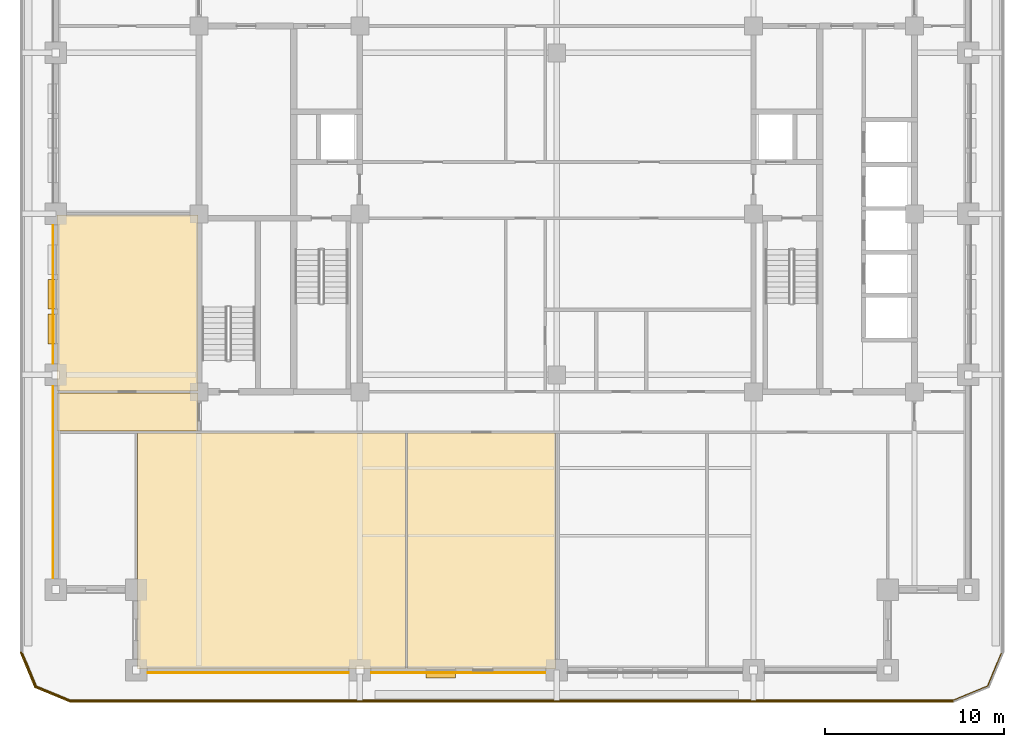
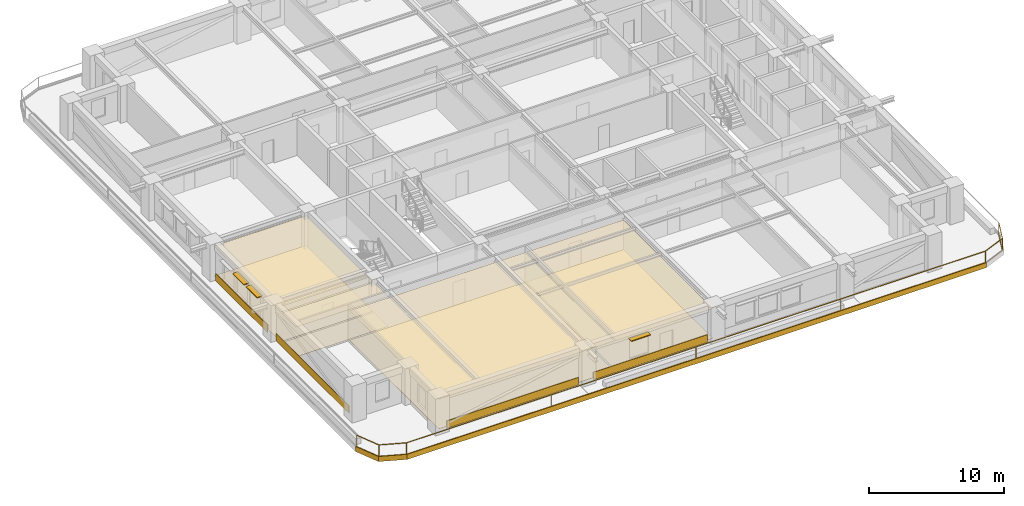
# One storey, part 7 of 14: 15 coverings, 3 shading devices, 1 railing.
"""IFC4 building model written with IfcOpenShell, lengths in metres."""

from ifc_helpers import new_model, si_unit, direction, frame, frame_2d, origin, origin_2d, place, context, subcontext, project, spatial, polyline, rectangle, outline, extrude, material, layer, layer_set, type_object, element, save


model = new_model("IFC4")

# Units and contexts
model_context = context("Model", 3, precision=1e-05, world=origin(), true_north=direction((0.0, 1.0)))
body_context = subcontext(model_context, "Body", "Model", "MODEL_VIEW")
ifc_project = project(units=[si_unit("LENGTHUNIT", "METRE"), si_unit("AREAUNIT", "SQUARE_METRE"), si_unit("VOLUMEUNIT", "CUBIC_METRE"), si_unit("PLANEANGLEUNIT", "RADIAN"), si_unit("MASSUNIT", "GRAM", prefix="KILO")], contexts=[model_context])

# Site, building, storey
site_placement = place(None, origin())
site = spatial("IfcSite", under=ifc_project, at=site_placement, CompositionType="ELEMENT")
building_placement = place(site_placement, origin())
building = spatial("IfcBuilding", under=site, at=building_placement, Name="Zulmaris Gate Convention Tower", CompositionType="ELEMENT")
storey_placement = place(building_placement, frame((0.0, 0.0, 135.6298828125)))
storey = spatial("IfcBuildingStorey", under=building, at=storey_placement, Name="L34", CompositionType="ELEMENT", Elevation=135.6298828125)

# Coverings
ifc_material_1 = material(Name="Precast concrete C40/50", Category="concrete")
ifc_layer_1 = layer(ifc_material_1, 0.0400390625, Name="Precast concrete C40/50")
ifc_layer_set_1 = layer_set([ifc_layer_1], Name="Precast concrete C40/50")
covering_type_1 = type_object("IfcCoveringType", Name="CLAD-SPANDREL-PRECAST", PredefinedType="CLADDING", material=ifc_layer_set_1)
covering_1_placement = place(storey_placement, frame((-22.8701171875, -25.64990234375, 0.0), z_axis=(0.0, 0.0, 1.0), x_axis=(1.0, 0.0, 0.0)))
element("IfcCovering", 1, at=covering_1_placement, inside=storey, type_object=covering_type_1, Name="CLD-L34-S-0_0", PredefinedType="CLADDING", context=body_context, shape_type="SweptSolid", body=[
    extrude(rectangle(XDim=11.240234375, YDim=0.0400390625, at=frame_2d((5.6201171875, 0.0))), origin(), (0.0, 0.0, 1.0), 0.679931640625),
])
covering_2_placement = place(storey_placement, frame((-10.3701171875, -25.64990234375, 0.0), z_axis=(0.0, 0.0, 1.0), x_axis=(1.0, 0.0, 0.0)))
element("IfcCovering", 2, at=covering_2_placement, inside=storey, type_object=covering_type_1, Name="CLD-L34-S-1_0", PredefinedType="CLADDING", context=body_context, shape_type="SweptSolid", body=[
    extrude(rectangle(XDim=9.740234375, YDim=0.0400390625, at=frame_2d((4.8701171875, 0.0))), origin(), (0.0, 0.0, 1.0), 0.679931640625),
])
covering_3_placement = place(storey_placement, frame((-28.14990234375, -9.6298828125, 0.0), z_axis=(0.0, 0.0, 1.0), x_axis=(0.0, -1.0, 0.0)))
element("IfcCovering", 3, at=covering_3_placement, inside=storey, type_object=covering_type_1, Name="CLD-L34-W-0_0", PredefinedType="CLADDING", context=body_context, shape_type="SweptSolid", body=[
    extrude(rectangle(XDim=10.740234375, YDim=0.0400390625, at=frame_2d((5.3701171875, 0.0))), origin(), (0.0, 0.0, 1.0), 0.679931640625),
])
covering_4_placement = place(storey_placement, frame((-28.14990234375, -0.6298828125, 0.0), z_axis=(0.0, 0.0, 1.0), x_axis=(0.0, -1.0, 0.0)))
element("IfcCovering", 4, at=covering_4_placement, inside=storey, type_object=covering_type_1, Name="CLD-L34-W-1_0", PredefinedType="CLADDING", context=body_context, shape_type="SweptSolid", body=[
    extrude(rectangle(XDim=7.740234375, YDim=0.0400390625, at=frame_2d((3.8701171875, 0.0))), origin(), (0.0, 0.0, 1.0), 0.679931640625),
])
ifc_material_2 = material(Name="White Glazed Architectural Precast Concrete C40/50", Category="concrete")
ifc_layer_2 = layer(ifc_material_2, 0.080078125, Name="White Glazed Architectural Precast Concrete C40/50")
ifc_layer_set_2 = layer_set([ifc_layer_2], Name="White Glazed Architectural Precast Concrete C40/50")
covering_type_2 = type_object("IfcCoveringType", Name="CLAD-TRAY-FASCIA", PredefinedType="CLADDING", material=ifc_layer_set_2)
covering_5_placement = place(storey_placement, frame((-29.962890625, -24.484619140625, -0.2900390625), z_axis=(0.0, 0.0, 1.0), x_axis=(0.382656984709, -0.923890487046, 0.0)))
element("IfcCovering", 5, at=covering_5_placement, inside=storey, type_object=covering_type_2, Name="FSC-L34-TR-00", PredefinedType="CLADDING", context=body_context, shape_type="SweptSolid", body=[
    extrude(rectangle(XDim=2.14306640625, YDim=0.080078125, at=frame_2d((1.071533203125, 0.0))), origin(), (0.0, 0.0, 1.0), 0.4599609375),
])
covering_6_placement = place(storey_placement, frame((-29.16455078125, -26.44287109375, -0.2900390625), z_axis=(0.0, 0.0, 1.0), x_axis=(0.923873803533, -0.382697263049, 0.0)))
element("IfcCovering", 6, at=covering_6_placement, inside=storey, type_object=covering_type_2, Name="FSC-L34-TR-01", PredefinedType="CLADDING", context=body_context, shape_type="SweptSolid", body=[
    extrude(rectangle(XDim=2.142822265625, YDim=0.080078125, at=frame_2d((1.0712890625, 0.0))), origin(), (0.0, 0.0, 1.0), 0.4599609375),
])
covering_7_placement = place(storey_placement, frame((-27.199951171875, -27.260009765625, -0.2900390625), z_axis=(0.0, 0.0, 1.0), x_axis=(1.0, 0.0, 0.0)))
element("IfcCovering", 7, at=covering_7_placement, inside=storey, type_object=covering_type_2, Name="FSC-L34-TR-02", PredefinedType="CLADDING", context=body_context, shape_type="SweptSolid", body=[
    extrude(rectangle(XDim=49.39990234375, YDim=0.080078125, at=frame_2d((24.699951171875, 0.0))), origin(), (0.0, 0.0, 1.0), 0.4599609375),
])
ifc_material_3 = material(Name="Mineral Fibre Acoustic Ceiling Tile")
ifc_layer_3 = layer(ifc_material_3, 0.02001953125, Name="Mineral Fibre Acoustic Ceiling Tile")
ifc_layer_set_3 = layer_set([ifc_layer_3], Name="Mineral Fibre Acoustic Ceiling Tile")
covering_type_3 = type_object("IfcCoveringType", Name="CLG-ACOUSTIC-600", PredefinedType="CEILING", material=ifc_layer_set_3)
covering_8_placement = place(storey_placement, frame((0.0, 0.0, 2.68017578125)))
element("IfcCovering", 8, at=covering_8_placement, inside=storey, type_object=covering_type_3, Name="CLG-L34-R33", PredefinedType="CEILING", context=body_context, shape_type="SweptSolid", body=[
    extrude(outline(polyline([(-23.43994140625, -25.43994140625), (-8.4599609375, -25.43994140625), (-8.4599609375, -12.260009765625), (-23.43994140625, -12.260009765625), (-23.43994140625, -25.43994140625)])), origin(), (0.0, 0.0, 1.0), 0.02001953125),
])
covering_9_placement = place(storey_placement, frame((0.0, 0.0, 2.68017578125)))
element("IfcCovering", 9, at=covering_9_placement, inside=storey, type_object=covering_type_3, Name="CLG-L34-R34", PredefinedType="CEILING", context=body_context, shape_type="SweptSolid", body=[
    extrude(outline(polyline([(-8.340087890625, -25.43994140625), (-0.06005859375, -25.43994140625), (-0.06005859375, -12.260009765625), (-8.340087890625, -12.260009765625), (-8.340087890625, -25.43994140625)])), origin(), (0.0, 0.0, 1.0), 0.02001953125),
])
covering_10_placement = place(storey_placement, frame((0.0, 0.0, 2.68017578125)))
element("IfcCovering", 10, at=covering_10_placement, inside=storey, type_object=covering_type_3, Name="CLG-L34-R45", PredefinedType="CEILING", context=body_context, shape_type="SweptSolid", body=[
    extrude(outline(polyline([(-27.93994140625, -12.139892578125), (-20.06005859375, -12.139892578125), (-20.06005859375, -10.010009765625), (-27.93994140625, -10.010009765625), (-27.93994140625, -12.139892578125)])), origin(), (0.0, 0.0, 1.0), 0.02001953125),
])
covering_11_placement = place(storey_placement, frame((0.0, 0.0, 2.68017578125)))
element("IfcCovering", 11, at=covering_11_placement, inside=storey, type_object=covering_type_3, Name="CLG-L34-R47", PredefinedType="CEILING", context=body_context, shape_type="SweptSolid", body=[
    extrude(outline(polyline([(-27.93994140625, -9.889892578125), (-20.06005859375, -9.889892578125), (-20.06005859375, -0.06005859375), (-27.93994140625, -0.06005859375), (-27.93994140625, -9.889892578125)])), origin(), (0.0, 0.0, 1.0), 0.02001953125),
])
ifc_material_4 = material(Name="Woven Acoustic Wool Carpet Tile")
ifc_layer_4 = layer(ifc_material_4, 0.02001953125, Name="Woven Acoustic Wool Carpet Tile")
ifc_layer_set_4 = layer_set([ifc_layer_4], Name="Woven Acoustic Wool Carpet Tile")
covering_type_4 = type_object("IfcCoveringType", Name="FLR-CARPET-12", PredefinedType="FLOORING", material=ifc_layer_set_4)
covering_12_placement = place(storey_placement, origin())
element("IfcCovering", 12, at=covering_12_placement, inside=storey, type_object=covering_type_4, Name="FLR-L34-R34", PredefinedType="FLOORING", context=body_context, shape_type="SweptSolid", body=[
    extrude(outline(polyline([(-8.340087890625, -25.43994140625), (-0.06005859375, -25.43994140625), (-0.06005859375, -12.260009765625), (-8.340087890625, -12.260009765625), (-8.340087890625, -25.43994140625)])), origin(), (0.0, 0.0, 1.0), 0.02001953125),
])
covering_13_placement = place(storey_placement, origin())
element("IfcCovering", 13, at=covering_13_placement, inside=storey, type_object=covering_type_4, Name="FLR-L34-R45", PredefinedType="FLOORING", context=body_context, shape_type="SweptSolid", body=[
    extrude(outline(polyline([(-27.93994140625, -12.139892578125), (-20.06005859375, -12.139892578125), (-20.06005859375, -10.010009765625), (-27.93994140625, -10.010009765625), (-27.93994140625, -12.139892578125)])), origin(), (0.0, 0.0, 1.0), 0.02001953125),
])
covering_14_placement = place(storey_placement, origin())
element("IfcCovering", 14, at=covering_14_placement, inside=storey, type_object=covering_type_4, Name="FLR-L34-R47", PredefinedType="FLOORING", context=body_context, shape_type="SweptSolid", body=[
    extrude(outline(polyline([(-27.93994140625, -9.889892578125), (-20.06005859375, -9.889892578125), (-20.06005859375, -0.06005859375), (-27.93994140625, -0.06005859375), (-27.93994140625, -9.889892578125)])), origin(), (0.0, 0.0, 1.0), 0.02001953125),
])
ifc_material_5 = material(Name="Engineered Teak Parquet Flooring")
ifc_layer_5 = layer(ifc_material_5, 0.02001953125, Name="Engineered Teak Parquet Flooring")
ifc_layer_set_5 = layer_set([ifc_layer_5], Name="Engineered Teak Parquet Flooring")
covering_type_5 = type_object("IfcCoveringType", Name="FLR-TIMBER-18", PredefinedType="FLOORING", material=ifc_layer_set_5)
covering_15_placement = place(storey_placement, origin())
element("IfcCovering", 15, at=covering_15_placement, inside=storey, type_object=covering_type_5, Name="FLR-L34-R33", PredefinedType="FLOORING", context=body_context, shape_type="SweptSolid", body=[
    extrude(outline(polyline([(-23.43994140625, -25.43994140625), (-8.4599609375, -25.43994140625), (-8.4599609375, -12.260009765625), (-23.43994140625, -12.260009765625), (-23.43994140625, -25.43994140625)])), origin(), (0.0, 0.0, 1.0), 0.02001953125),
])

# Railing
ifc_material_6 = material(Name="Laminated Glass and Stainless Steel", Category="steel")
railing_type = type_object("IfcRailingType", Name="RL-BALC-1150", PredefinedType="BALUSTRADE", material=ifc_material_6)
railing_placement = place(storey_placement, frame((-29.8798828125, -24.5, 0.010009765625)))
element("IfcRailing", 16, at=railing_placement, inside=storey, type_object=railing_type, Name="RL-L34-BALC-S", PredefinedType="BALUSTRADE", context=body_context, shape_type="SweptSolid", body=[
    extrude(rectangle(XDim=0.048095703125, YDim=0.048095703125, at=origin_2d()), frame((0.0, 0.0, 1.1259765625), z_axis=(0.382670664694, -0.92388482095, 0.0), x_axis=(0.92388482095, 0.382670664694, 0.0)), (0.0, 0.0, 1.0), 2.051025390625),
    extrude(rectangle(XDim=0.048095703125, YDim=0.048095703125, at=origin_2d()), frame((0.0, 0.0, 0.02392578125), z_axis=(0.382670664694, -0.92388482095, 0.0), x_axis=(0.92388482095, 0.382670664694, 0.0)), (0.0, 0.0, 1.0), 2.051025390625),
    extrude(rectangle(XDim=0.048095703125, YDim=0.048095703125, at=origin_2d()), frame((0.784912109375, -1.89501953125, 1.1259765625), z_axis=(0.92388482095, -0.382670664694, 0.0), x_axis=(0.382670664694, 0.92388482095, 0.0)), (0.0, 0.0, 1.0), 2.051025390625),
    extrude(rectangle(XDim=0.048095703125, YDim=0.048095703125, at=origin_2d()), frame((0.784912109375, -1.89501953125, 0.02392578125), z_axis=(0.92388482095, -0.382670664694, 0.0), x_axis=(0.382670664694, 0.92388482095, 0.0)), (0.0, 0.0, 1.0), 2.051025390625),
    extrude(rectangle(XDim=0.048095703125, YDim=0.048095703125, at=origin_2d()), frame((2.679931640625, -2.679931640625, 1.1259765625), z_axis=(1.0, 0.0, 0.0), x_axis=(0.0, 1.0, 0.0)), (0.0, 0.0, 1.0), 49.39990234375),
    extrude(rectangle(XDim=0.048095703125, YDim=0.048095703125, at=origin_2d()), frame((2.679931640625, -2.679931640625, 0.02392578125), z_axis=(1.0, 0.0, 0.0), x_axis=(0.0, 1.0, 0.0)), (0.0, 0.0, 1.0), 49.39990234375),
    extrude(rectangle(XDim=0.048095703125, YDim=0.048095703125, at=origin_2d()), frame((52.079833984375, -2.679931640625, 1.1259765625), z_axis=(0.92388482095, 0.382670664694, 0.0), x_axis=(-0.382670664694, 0.92388482095, 0.0)), (0.0, 0.0, 1.0), 2.051025390625),
    extrude(rectangle(XDim=0.048095703125, YDim=0.048095703125, at=origin_2d()), frame((52.079833984375, -2.679931640625, 0.02392578125), z_axis=(0.92388482095, 0.382670664694, 0.0), x_axis=(-0.382670664694, 0.92388482095, 0.0)), (0.0, 0.0, 1.0), 2.051025390625),
    extrude(rectangle(XDim=0.048095703125, YDim=0.048095703125, at=origin_2d()), frame((53.974853515625, -1.89501953125, 1.1259765625), z_axis=(0.382670664694, 0.92388482095, 0.0), x_axis=(-0.92388482095, 0.382670664694, 0.0)), (0.0, 0.0, 1.0), 2.051025390625),
    extrude(rectangle(XDim=0.048095703125, YDim=0.048095703125, at=origin_2d()), frame((53.974853515625, -1.89501953125, 0.02392578125), z_axis=(0.382670664694, 0.92388482095, 0.0), x_axis=(-0.92388482095, 0.382670664694, 0.0)), (0.0, 0.0, 1.0), 2.051025390625),
    extrude(rectangle(XDim=0.0419921875, YDim=0.0419921875, at=origin_2d()), origin(), (0.0, 0.0, 1.0), 1.101806640625),
    extrude(rectangle(XDim=0.0419921875, YDim=0.0419921875, at=origin_2d()), frame((0.784912109375, -1.89501953125, 0.0)), (0.0, 0.0, 1.0), 1.101806640625),
    extrude(rectangle(XDim=0.0419921875, YDim=0.0419921875, at=origin_2d()), frame((2.679931640625, -2.679931640625, 0.0)), (0.0, 0.0, 1.0), 1.101806640625),
    extrude(rectangle(XDim=0.0419921875, YDim=0.0419921875, at=origin_2d()), frame((15.02978515625, -2.679931640625, 0.0)), (0.0, 0.0, 1.0), 1.101806640625),
    extrude(rectangle(XDim=0.0419921875, YDim=0.0419921875, at=origin_2d()), frame((27.3798828125, -2.679931640625, 0.0)), (0.0, 0.0, 1.0), 1.101806640625),
    extrude(rectangle(XDim=0.0419921875, YDim=0.0419921875, at=origin_2d()), frame((39.72998046875, -2.679931640625, 0.0)), (0.0, 0.0, 1.0), 1.101806640625),
    extrude(rectangle(XDim=0.0419921875, YDim=0.0419921875, at=origin_2d()), frame((52.079833984375, -2.679931640625, 0.0)), (0.0, 0.0, 1.0), 1.101806640625),
    extrude(rectangle(XDim=0.0419921875, YDim=0.0419921875, at=origin_2d()), frame((53.974853515625, -1.89501953125, 0.0)), (0.0, 0.0, 1.0), 1.101806640625),
    extrude(rectangle(XDim=0.0419921875, YDim=0.0419921875, at=origin_2d()), frame((54.759765625, 0.0, 0.0)), (0.0, 0.0, 1.0), 1.101806640625),
])

# Shading devices
ifc_material_7 = material(Name="Glazed Ceramic Terracotta", Category="masonry")
ifc_layer_6 = layer(ifc_material_7, 0.070068359375, Name="Glazed Ceramic Terracotta")
ifc_layer_set_6 = layer_set([ifc_layer_6], Name="Glazed Ceramic Terracotta")
shading_device_type = type_object("IfcShadingDeviceType", Name="SHD-SUNSHADE-TC", PredefinedType="AWNING", material=ifc_layer_set_6)
shading_device_placement = place(storey_placement, frame((-7.299072265625, -25.719970703125, 2.530029296875), z_axis=(0.0, 0.0, 1.0), x_axis=(1.0, 0.0, 0.0)))
element("IfcShadingDevice", 17, at=shading_device_placement, inside=storey, type_object=shading_device_type, Name="SHD-EW-L34-S-1_0-2", PredefinedType="AWNING", context=body_context, shape_type="SweptSolid", body=[
    extrude(rectangle(XDim=1.650146484375, YDim=0.43994140625, at=frame_2d((0.8251953125, 0.0))), origin(), (0.0, 0.0, 1.0), 0.070068359375),
])
for number, where, z_axis, x_axis, name in (
    (18, (-28.219970703125, -3.675048828125, 2.530029296875), (0.0, 0.0, 1.0), (0.0, -1.0, 0.0), "SHD-EW-L34-W-1_0-2"),
    (19, (-28.219970703125, -5.610107421875, 2.530029296875), (0.0, 0.0, 1.0), (0.0, -1.0, 0.0), "SHD-EW-L34-W-1_0-3"),
):
    element("IfcShadingDevice", number, at=place(storey_placement, frame(where, z_axis=z_axis, x_axis=x_axis)), inside=storey, type_object=shading_device_type, Name=name, PredefinedType="AWNING", context=body_context, shape_type="SweptSolid", body=[
        extrude(rectangle(XDim=1.64990234375, YDim=0.43994140625, at=frame_2d((0.824951171875, 0.0))), origin(), (0.0, 0.0, 1.0), 0.070068359375),
    ])

save(model, "model.ifc")
